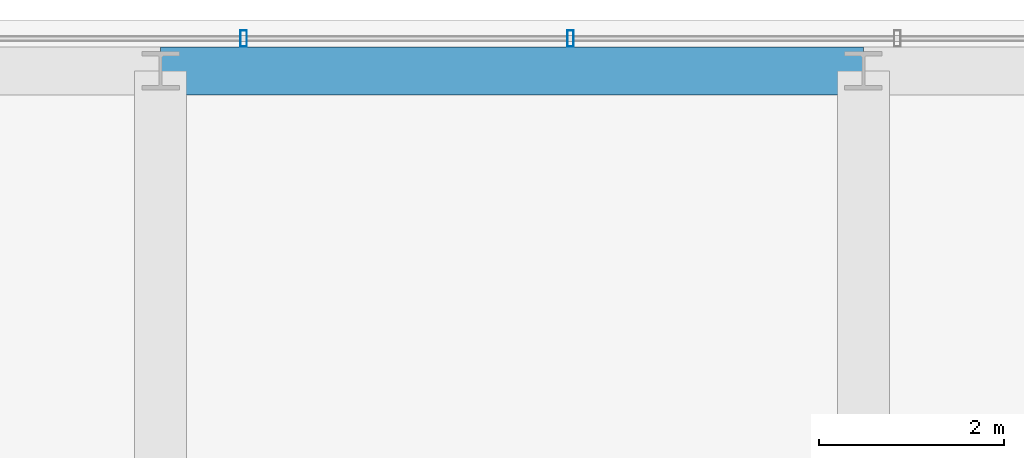
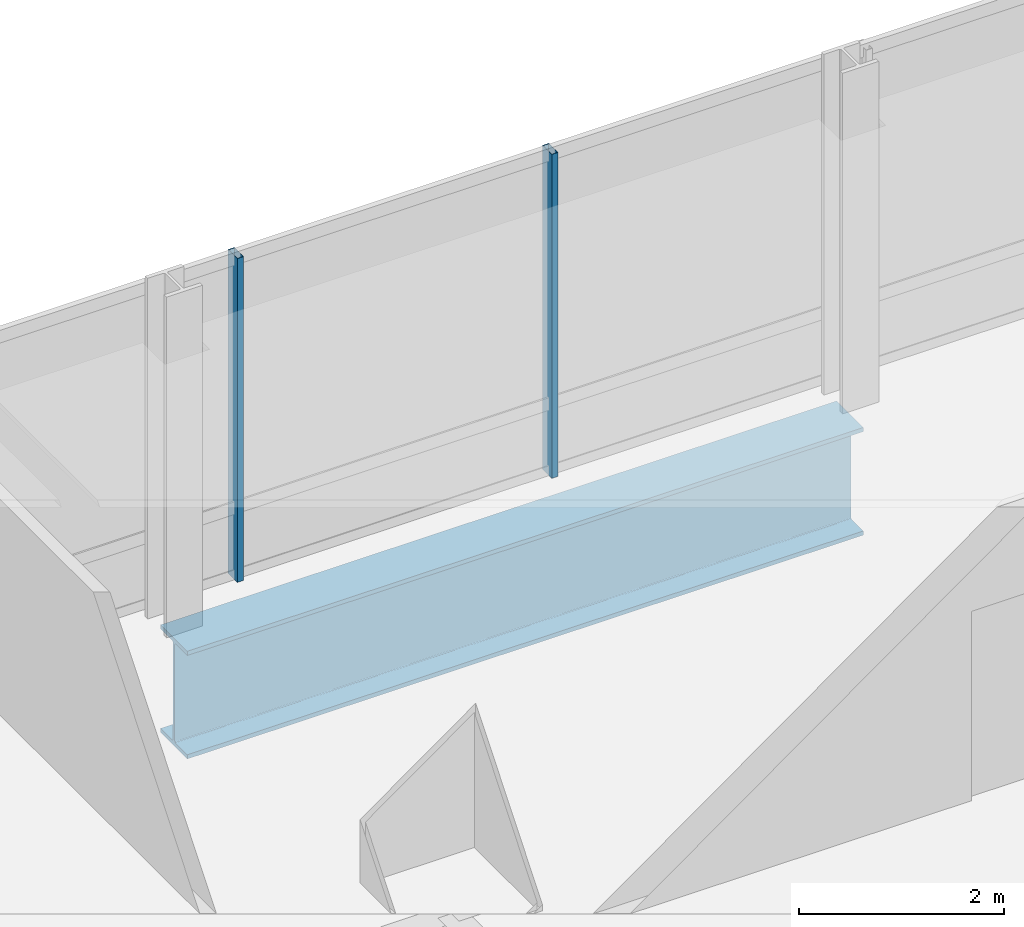
# One storey, part 27 of 42: 2 members, 1 beam, 1 element without a shape of its own.
"""IFC4 building model written with IfcOpenShell, lengths in metres."""

import ifcopenshell
import ifcopenshell.guid

model = None  # the IFC model being written
_history = None  # IfcOwnerHistory: only IFC2X3 demands one
_inside = {}  # id of a spatial element -> (the spatial element, [elements in it])
_under = {}  # id of a project, library or spatial element -> (it, [spatial elements below it])
_declared = {}  # id of a project -> (the project, [libraries it declares])
_typed = {}  # id of a type object -> (the type object, [elements of that type])
_made_of = {}  # id of a material, layer set ... -> (it, [elements and type objects made of it])


def new_model(schema):
    """Start an empty IFC model of exactly this schema.

    Asked for "IFC4X3", IfcOpenShell would pick the latest addendum, in which some entities
    have other attributes; the version numbers below select the first issue.
    IFC2X3 requires an IfcOwnerHistory on every rooted entity: one is made here for all.
    """
    global model, _history
    if schema == "IFC4X3":
        model = ifcopenshell.file(schema_version=(4, 3, 0, 0))
    else:
        model = ifcopenshell.file(schema=schema)
    _inside.clear()
    _under.clear()
    _declared.clear()
    _typed.clear()
    _made_of.clear()
    _history = None
    if model.schema == "IFC2X3":
        org = make("IfcOrganization", Name="unknown")
        user = make(
            "IfcPersonAndOrganization",
            ThePerson=make("IfcPerson", FamilyName="unknown"),
            TheOrganization=org,
        )
        app = make(
            "IfcApplication",
            ApplicationDeveloper=org,
            Version="unknown",
            ApplicationFullName="unknown",
            ApplicationIdentifier="unknown",
        )
        _history = make(
            "IfcOwnerHistory",
            OwningUser=user,
            OwningApplication=app,
            ChangeAction="ADDED",
            CreationDate=0,
        )
    return model


def make(cls, **values):
    """One entity of the class cls with the attributes given. An attribute that is None is left unset."""
    return model.create_entity(
        cls, **{name: value for name, value in values.items() if value is not None}
    )


def rooted(cls, **values):
    """An entity with a GlobalId (a new one), such as an element, a storey or a relation."""
    return make(cls, GlobalId=ifcopenshell.guid.new(), OwnerHistory=_history, **values)


def si_unit(unit_type, name, prefix=None):
    """IfcSIUnit, for example si_unit("LENGTHUNIT", "METRE", prefix="MILLI")."""
    return make("IfcSIUnit", UnitType=unit_type, Prefix=prefix, Name=name)


def assignment(units):
    """IfcUnitAssignment: the units of a project."""
    return None if units is None else make("IfcUnitAssignment", Units=units)


def point(xyz):
    """IfcCartesianPoint."""
    return None if xyz is None else make("IfcCartesianPoint", Coordinates=xyz)


def direction(xyz):
    """IfcDirection."""
    return None if xyz is None else make("IfcDirection", DirectionRatios=xyz)


def frame(location, z_axis=None, x_axis=None):
    """IfcAxis2Placement3D, a coordinate frame: its origin and axes. An axis left out is left unset."""
    return make(
        "IfcAxis2Placement3D",
        Location=point(location),
        Axis=direction(z_axis),
        RefDirection=direction(x_axis),
    )


def frame_2d(location, x_axis=None):
    """IfcAxis2Placement2D, a coordinate frame in the plane: its origin and x axis."""
    return make(
        "IfcAxis2Placement2D", Location=point(location), RefDirection=direction(x_axis)
    )


def origin():
    """The frame at (0, 0, 0) with its axes left unset."""
    return frame((0.0, 0.0, 0.0))


def origin_2d():
    """The frame at (0, 0) in the plane with its x axis left unset."""
    return frame_2d((0.0, 0.0))


def place(relative_to, where):
    """IfcLocalPlacement: puts the frame where relative to a parent placement (None: the world)."""
    return make(
        "IfcLocalPlacement", PlacementRelTo=relative_to, RelativePlacement=where
    )


def context(
    kind, dimensions, precision=None, world=None, true_north=None, identifier=None
):
    """IfcGeometricRepresentationContext, for example the 3D "Model" context."""
    return make(
        "IfcGeometricRepresentationContext",
        ContextIdentifier=identifier,
        ContextType=kind,
        CoordinateSpaceDimension=dimensions,
        Precision=precision,
        WorldCoordinateSystem=world,
        TrueNorth=true_north,
    )


def subcontext(parent, identifier, kind, view, scale=None):
    """IfcGeometricRepresentationSubContext, for example "Body" below "Model"."""
    return make(
        "IfcGeometricRepresentationSubContext",
        ContextIdentifier=identifier,
        ContextType=kind,
        ParentContext=parent,
        TargetScale=scale,
        TargetView=view,
    )


def project(units=None, contexts=None):
    """IfcProject with its units and contexts."""
    return rooted(
        "IfcProject",
        Name="project",
        RepresentationContexts=contexts,
        UnitsInContext=assignment(units),
    )


def spatial(cls, under=None, at=None, **own):
    """A site, building, storey or space (cls), placed at a placement, below another one or the project."""
    s = rooted(cls, ObjectPlacement=at, **own)
    if under is not None:
        _under.setdefault(under.id(), (under, []))[1].append(s)
    return s


def profile(cls, at=None, kind="AREA", **sizes):
    """A parametric profile (cls). Its sizes go by their IFC names, for example OverallWidth=200.0."""
    return make(cls, ProfileType=kind, Position=at, **sizes)


def hollow_rectangle(**sizes):
    """IfcRectangleHollowProfileDef."""
    return profile("IfcRectangleHollowProfileDef", **sizes)


def i_section(**sizes):
    """IfcIShapeProfileDef."""
    return profile("IfcIShapeProfileDef", **sizes)


def extrude(swept, where, along, depth):
    """IfcExtrudedAreaSolid: the profile swept, set in the frame where, extruded along a direction by depth."""
    return make(
        "IfcExtrudedAreaSolid",
        SweptArea=swept,
        Position=where,
        ExtrudedDirection=direction(along),
        Depth=depth,
    )


def shape(context_of_items, identifier, shape_type, items):
    """IfcShapeRepresentation: the items that make up one representation, for example the "Body"."""
    return make(
        "IfcShapeRepresentation",
        ContextOfItems=context_of_items,
        RepresentationIdentifier=identifier,
        RepresentationType=shape_type,
        Items=items,
    )


def material(Name=None, Category=None):
    """IfcMaterial."""
    return make("IfcMaterial", Name=Name, Category=Category)


def material_profile(
    of_material, cross_section, Name=None, Category=None, Priority=None
):
    """IfcMaterialProfile: a cross section and its material."""
    return make(
        "IfcMaterialProfile",
        Name=Name,
        Material=of_material,
        Profile=cross_section,
        Priority=Priority,
        Category=Category,
    )


def profile_set(profiles, Name=None, composite=None):
    """IfcMaterialProfileSet."""
    return make(
        "IfcMaterialProfileSet",
        Name=Name,
        MaterialProfiles=profiles,
        CompositeProfile=composite,
    )


def made_of(thing, what):
    """Note that an element or type object is made of a material, layer set ...; save() writes the relation."""
    if what is not None:
        _made_of.setdefault(what.id(), (what, []))[1].append(thing)
    return thing


def type_object(cls, material=None, **own):
    """A type object (cls), such as IfcWallType, which elements share."""
    return made_of(rooted(cls, **own), material)


def element(
    cls,
    number,
    at=None,
    inside=None,
    cuts=None,
    type_object=None,
    material=None,
    context=None,
    identifier="Body",
    shape_type=None,
    held_by="IfcProductDefinitionShape",
    body=None,
    shapes=None,
    **own,
):
    """One element of the class cls, such as IfcWall. Its Tag is "e" and its number.

    at: its placement. inside: the storey or other place that contains it. cuts: it is an
    opening in that element (IfcRelVoidsElement). A single representation is given by context,
    identifier, shape_type and body (its items); several are given by shapes. held_by: the class
    of the entity that holds the representations. save() writes the other relations.
    """
    e = rooted(cls, Tag="e%d" % number, ObjectPlacement=at, **own)
    if body is not None:
        shapes = [shape(context, identifier, shape_type, body)]
    if shapes is not None:
        e.Representation = make(held_by, Representations=shapes)
    if inside is not None:
        _inside.setdefault(inside.id(), (inside, []))[1].append(e)
    if cuts is not None:
        rooted(
            "IfcRelVoidsElement", RelatingBuildingElement=cuts, RelatedOpeningElement=e
        )
    if type_object is not None:
        _typed.setdefault(type_object.id(), (type_object, []))[1].append(e)
    return made_of(e, material)


def aggregate(whole, parts):
    """IfcRelAggregates: a whole, such as a stair, and the parts it consists of."""
    return rooted("IfcRelAggregates", RelatingObject=whole, RelatedObjects=parts)


def save(model, path):
    """Write the relations noted so far, then the file.

    IfcRelAggregates (storeys below a building ...), IfcRelContainedInSpatialStructure (elements
    in a storey), IfcRelDefinesByType, IfcRelAssociatesMaterial and IfcRelDeclares: one each for
    every whole, place, type object, material and project.
    """
    for whole, parts in _under.values():
        aggregate(whole, parts)
    for where, things in _inside.values():
        rooted(
            "IfcRelContainedInSpatialStructure",
            RelatedElements=things,
            RelatingStructure=where,
        )
    for kind, things in _typed.values():
        rooted("IfcRelDefinesByType", RelatedObjects=things, RelatingType=kind)
    for what, things in _made_of.values():
        rooted("IfcRelAssociatesMaterial", RelatedObjects=things, RelatingMaterial=what)
    for by, libraries in _declared.values():
        rooted("IfcRelDeclares", RelatingContext=by, RelatedDefinitions=libraries)
    model.write(path)


model = new_model("IFC4")

# Units and contexts
model_context = context("Model", 3, precision=1e-05, world=origin(), true_north=direction((0.0, 1.0)))
body_context = subcontext(model_context, "Body", "Model", "MODEL_VIEW")
ifc_project = project(units=[si_unit("LENGTHUNIT", "METRE"), si_unit("AREAUNIT", "SQUARE_METRE"), si_unit("VOLUMEUNIT", "CUBIC_METRE"), si_unit("PLANEANGLEUNIT", "RADIAN"), si_unit("MASSUNIT", "GRAM", prefix="KILO")], contexts=[model_context])

# Site, building, storey
site_placement = place(None, origin())
site = spatial("IfcSite", under=ifc_project, at=site_placement, CompositionType="ELEMENT")
building_placement = place(site_placement, origin())
building = spatial("IfcBuilding", under=site, at=building_placement, Name="Punatoya Terracotta Tower", CompositionType="ELEMENT")
storey_placement = place(building_placement, frame((0.0, 0.0, 263.550048828125)))
storey = spatial("IfcBuildingStorey", under=building, at=storey_placement, Name="L62", CompositionType="ELEMENT", Elevation=263.550048828125)

# Beam
ifc_material_1 = material(Name="Steel S460", Category="steel")
ifc_material_profile_1 = material_profile(ifc_material_1, i_section(OverallWidth=0.52001953125, OverallDepth=1.280029296875, WebThickness=0.031982421875, FlangeThickness=0.050048828125, FilletRadius=0.01806640625, at=origin_2d()))
ifc_profile_set_1 = profile_set([ifc_material_profile_1], Name="Steel S460")
beam_type = type_object("IfcBeamType", Name="BM-TG-NCK", PredefinedType="BEAM", material=ifc_profile_set_1)
beam_placement = place(storey_placement, frame((-3.800048828125, 22.89990234375, -0.840087890625), z_axis=(1.0, 0.0, 0.0), x_axis=(0.0, 1.0, 0.0)))
element("IfcBeam", 1, at=beam_placement, inside=storey, type_object=beam_type, Name="BM-L62-PER-N2", PredefinedType="BEAM", context=body_context, shape_type="SweptSolid", body=[
    extrude(i_section(OverallWidth=0.52001953125, OverallDepth=1.280029296875, WebThickness=0.031982421875, FlangeThickness=0.050048828125, FilletRadius=0.01806640625, at=origin_2d()), origin(), (0.0, 0.0, 1.0), 7.60009765625),
])

# Curtain wall, members
ifc_material_2 = material(Name="Aluminium 6063-T6 + Double Low-E Glass", Category="aluminium")
curtain_wall_type = type_object("IfcCurtainWallType", Name="CW-M3", PredefinedType="NOTDEFINED", material=ifc_material_2)
curtain_wall_placement = place(storey_placement, origin())
curtain_wall = element("IfcCurtainWall", 2, at=curtain_wall_placement, inside=storey, type_object=curtain_wall_type, Name="L62 Curtain Wall CW-L62-N09-1", PredefinedType="NOTDEFINED")
ifc_material_3 = material(Name="Aluminium 6063-T6", Category="aluminium")
ifc_material_profile_2 = material_profile(ifc_material_3, hollow_rectangle(XDim=0.070068359375, YDim=0.179931640625, WallThickness=0.00390625, at=origin_2d()))
ifc_profile_set_2 = profile_set([ifc_material_profile_2], Name="Aluminium 6063-T6")
member_type = type_object("IfcMemberType", Name="CW-MUL-M3", PredefinedType="MULLION", material=ifc_profile_set_2)
member_1_placement = place(storey_placement, frame((0.633056640625, 23.25, 0.0), z_axis=(0.0, 0.0, 1.0), x_axis=(1.0, 0.0, 0.0)))
member_1 = element("IfcMember", 3, at=member_1_placement, type_object=member_type, Name="CW-L62-N09-1 Mullion 06", PredefinedType="MULLION", context=body_context, shape_type="SweptSolid", body=[
    extrude(hollow_rectangle(XDim=0.070068359375, YDim=0.179931640625, WallThickness=0.00390625, at=origin_2d()), origin(), (0.0, 0.0, 1.0), 3.849853515625),
])
member_2_placement = place(storey_placement, frame((-2.90087890625, 23.25, 0.0), z_axis=(0.0, 0.0, 1.0), x_axis=(1.0, 0.0, 0.0)))
member_2 = element("IfcMember", 4, at=member_2_placement, type_object=member_type, Name="CW-L62-N09-1 Mullion 07", PredefinedType="MULLION", context=body_context, shape_type="SweptSolid", body=[
    extrude(hollow_rectangle(XDim=0.070068359375, YDim=0.179931640625, WallThickness=0.00390625, at=origin_2d()), origin(), (0.0, 0.0, 1.0), 3.849853515625),
])
aggregate(curtain_wall, [member_1, member_2])

save(model, "model.ifc")
